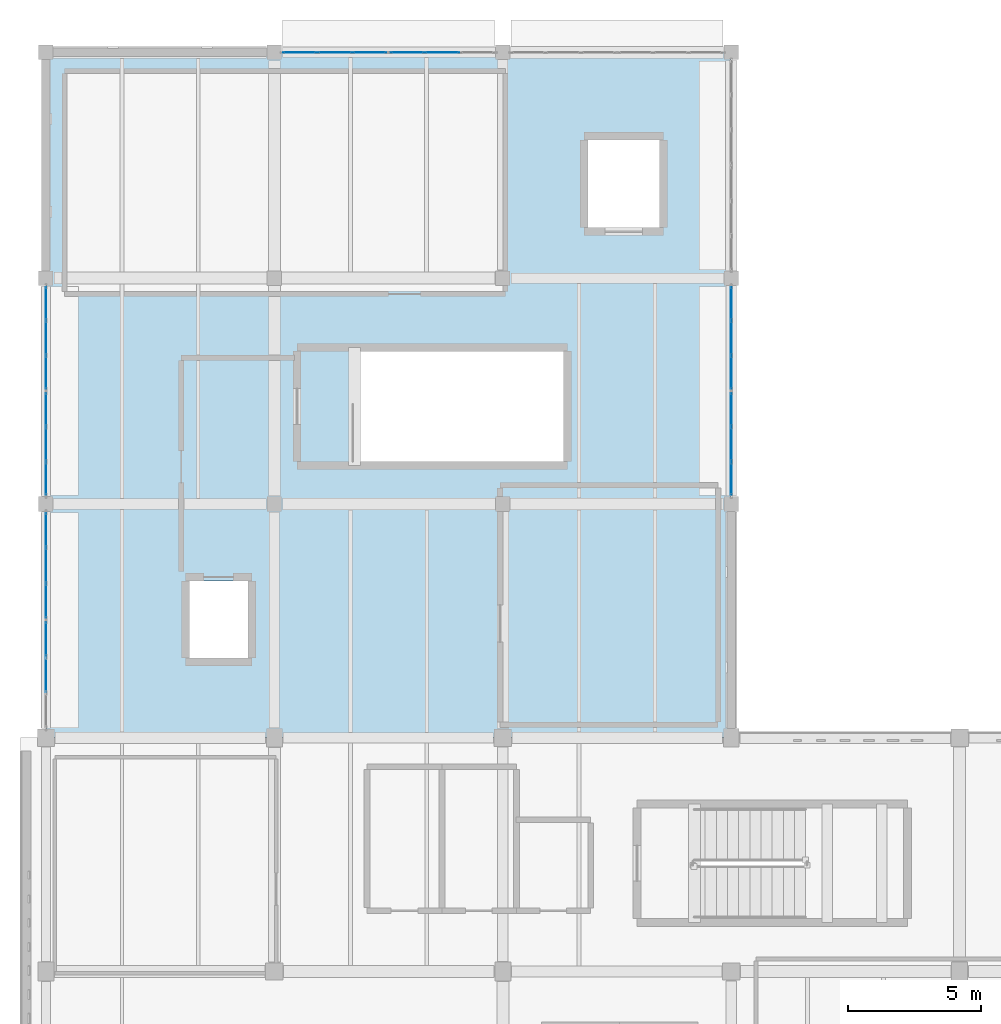
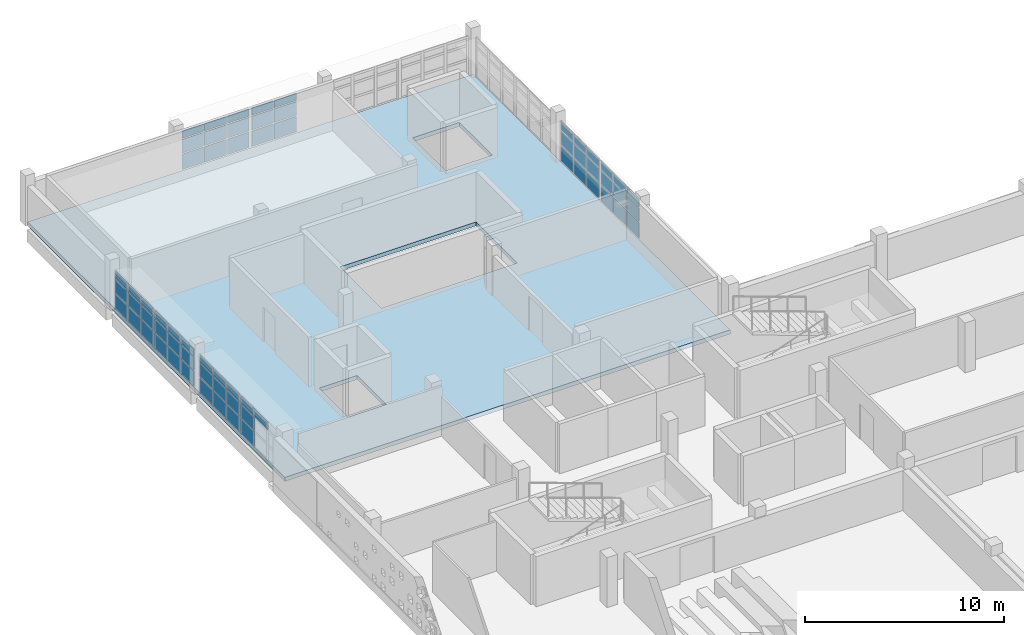
# One storey, part 19 of 34: 64 plates, 1 slab, 8 elements without a shape of their own.
"""IFC4 building model written with IfcOpenShell, lengths in metres."""

import ifcopenshell
import ifcopenshell.guid

model = None  # the IFC model being written
_history = None  # IfcOwnerHistory: only IFC2X3 demands one
_inside = {}  # id of a spatial element -> (the spatial element, [elements in it])
_under = {}  # id of a project, library or spatial element -> (it, [spatial elements below it])
_declared = {}  # id of a project -> (the project, [libraries it declares])
_typed = {}  # id of a type object -> (the type object, [elements of that type])
_made_of = {}  # id of a material, layer set ... -> (it, [elements and type objects made of it])


def new_model(schema):
    """Start an empty IFC model of exactly this schema.

    Asked for "IFC4X3", IfcOpenShell would pick the latest addendum, in which some entities
    have other attributes; the version numbers below select the first issue.
    IFC2X3 requires an IfcOwnerHistory on every rooted entity: one is made here for all.
    """
    global model, _history
    if schema == "IFC4X3":
        model = ifcopenshell.file(schema_version=(4, 3, 0, 0))
    else:
        model = ifcopenshell.file(schema=schema)
    _inside.clear()
    _under.clear()
    _declared.clear()
    _typed.clear()
    _made_of.clear()
    _history = None
    if model.schema == "IFC2X3":
        org = make("IfcOrganization", Name="unknown")
        user = make(
            "IfcPersonAndOrganization",
            ThePerson=make("IfcPerson", FamilyName="unknown"),
            TheOrganization=org,
        )
        app = make(
            "IfcApplication",
            ApplicationDeveloper=org,
            Version="unknown",
            ApplicationFullName="unknown",
            ApplicationIdentifier="unknown",
        )
        _history = make(
            "IfcOwnerHistory",
            OwningUser=user,
            OwningApplication=app,
            ChangeAction="ADDED",
            CreationDate=0,
        )
    return model


def make(cls, **values):
    """One entity of the class cls with the attributes given. An attribute that is None is left unset."""
    return model.create_entity(
        cls, **{name: value for name, value in values.items() if value is not None}
    )


def rooted(cls, **values):
    """An entity with a GlobalId (a new one), such as an element, a storey or a relation."""
    return make(cls, GlobalId=ifcopenshell.guid.new(), OwnerHistory=_history, **values)


def si_unit(unit_type, name, prefix=None):
    """IfcSIUnit, for example si_unit("LENGTHUNIT", "METRE", prefix="MILLI")."""
    return make("IfcSIUnit", UnitType=unit_type, Prefix=prefix, Name=name)


def assignment(units):
    """IfcUnitAssignment: the units of a project."""
    return None if units is None else make("IfcUnitAssignment", Units=units)


def point(xyz):
    """IfcCartesianPoint."""
    return None if xyz is None else make("IfcCartesianPoint", Coordinates=xyz)


def direction(xyz):
    """IfcDirection."""
    return None if xyz is None else make("IfcDirection", DirectionRatios=xyz)


def frame(location, z_axis=None, x_axis=None):
    """IfcAxis2Placement3D, a coordinate frame: its origin and axes. An axis left out is left unset."""
    return make(
        "IfcAxis2Placement3D",
        Location=point(location),
        Axis=direction(z_axis),
        RefDirection=direction(x_axis),
    )


def frame_2d(location, x_axis=None):
    """IfcAxis2Placement2D, a coordinate frame in the plane: its origin and x axis."""
    return make(
        "IfcAxis2Placement2D", Location=point(location), RefDirection=direction(x_axis)
    )


def origin():
    """The frame at (0, 0, 0) with its axes left unset."""
    return frame((0.0, 0.0, 0.0))


def origin_2d():
    """The frame at (0, 0) in the plane with its x axis left unset."""
    return frame_2d((0.0, 0.0))


def place(relative_to, where):
    """IfcLocalPlacement: puts the frame where relative to a parent placement (None: the world)."""
    return make(
        "IfcLocalPlacement", PlacementRelTo=relative_to, RelativePlacement=where
    )


def context(
    kind, dimensions, precision=None, world=None, true_north=None, identifier=None
):
    """IfcGeometricRepresentationContext, for example the 3D "Model" context."""
    return make(
        "IfcGeometricRepresentationContext",
        ContextIdentifier=identifier,
        ContextType=kind,
        CoordinateSpaceDimension=dimensions,
        Precision=precision,
        WorldCoordinateSystem=world,
        TrueNorth=true_north,
    )


def subcontext(parent, identifier, kind, view, scale=None):
    """IfcGeometricRepresentationSubContext, for example "Body" below "Model"."""
    return make(
        "IfcGeometricRepresentationSubContext",
        ContextIdentifier=identifier,
        ContextType=kind,
        ParentContext=parent,
        TargetScale=scale,
        TargetView=view,
    )


def project(units=None, contexts=None):
    """IfcProject with its units and contexts."""
    return rooted(
        "IfcProject",
        Name="project",
        RepresentationContexts=contexts,
        UnitsInContext=assignment(units),
    )


def spatial(cls, under=None, at=None, **own):
    """A site, building, storey or space (cls), placed at a placement, below another one or the project."""
    s = rooted(cls, ObjectPlacement=at, **own)
    if under is not None:
        _under.setdefault(under.id(), (under, []))[1].append(s)
    return s


def polyline(points):
    """IfcPolyline through the points."""
    return make("IfcPolyline", Points=[point(p) for p in points])


def profile(cls, at=None, kind="AREA", **sizes):
    """A parametric profile (cls). Its sizes go by their IFC names, for example OverallWidth=200.0."""
    return make(cls, ProfileType=kind, Position=at, **sizes)


def rectangle(**sizes):
    """IfcRectangleProfileDef."""
    return profile("IfcRectangleProfileDef", **sizes)


def outline(outer, holes=None, kind="AREA"):
    """IfcArbitraryClosedProfileDef: a profile drawn as a closed curve; with holes, ...WithVoids."""
    if holes is None:
        return make("IfcArbitraryClosedProfileDef", ProfileType=kind, OuterCurve=outer)
    return make(
        "IfcArbitraryProfileDefWithVoids",
        ProfileType=kind,
        OuterCurve=outer,
        InnerCurves=holes,
    )


def extrude(swept, where, along, depth):
    """IfcExtrudedAreaSolid: the profile swept, set in the frame where, extruded along a direction by depth."""
    return make(
        "IfcExtrudedAreaSolid",
        SweptArea=swept,
        Position=where,
        ExtrudedDirection=direction(along),
        Depth=depth,
    )


def shape(context_of_items, identifier, shape_type, items):
    """IfcShapeRepresentation: the items that make up one representation, for example the "Body"."""
    return make(
        "IfcShapeRepresentation",
        ContextOfItems=context_of_items,
        RepresentationIdentifier=identifier,
        RepresentationType=shape_type,
        Items=items,
    )


def material(Name=None, Category=None):
    """IfcMaterial."""
    return make("IfcMaterial", Name=Name, Category=Category)


def layer(
    of_material, thickness, ventilated=None, Name=None, Category=None, Priority=None
):
    """IfcMaterialLayer: one layer of a wall or slab, of a material (None: an air gap)."""
    return make(
        "IfcMaterialLayer",
        Material=of_material,
        LayerThickness=thickness,
        IsVentilated=ventilated,
        Name=Name,
        Category=Category,
        Priority=Priority,
    )


def layer_set(layers, Name=None):
    """IfcMaterialLayerSet."""
    return make("IfcMaterialLayerSet", MaterialLayers=layers, LayerSetName=Name)


def made_of(thing, what):
    """Note that an element or type object is made of a material, layer set ...; save() writes the relation."""
    if what is not None:
        _made_of.setdefault(what.id(), (what, []))[1].append(thing)
    return thing


def type_object(cls, material=None, **own):
    """A type object (cls), such as IfcWallType, which elements share."""
    return made_of(rooted(cls, **own), material)


def element(
    cls,
    number,
    at=None,
    inside=None,
    cuts=None,
    type_object=None,
    material=None,
    context=None,
    identifier="Body",
    shape_type=None,
    held_by="IfcProductDefinitionShape",
    body=None,
    shapes=None,
    **own,
):
    """One element of the class cls, such as IfcWall. Its Tag is "e" and its number.

    at: its placement. inside: the storey or other place that contains it. cuts: it is an
    opening in that element (IfcRelVoidsElement). A single representation is given by context,
    identifier, shape_type and body (its items); several are given by shapes. held_by: the class
    of the entity that holds the representations. save() writes the other relations.
    """
    e = rooted(cls, Tag="e%d" % number, ObjectPlacement=at, **own)
    if body is not None:
        shapes = [shape(context, identifier, shape_type, body)]
    if shapes is not None:
        e.Representation = make(held_by, Representations=shapes)
    if inside is not None:
        _inside.setdefault(inside.id(), (inside, []))[1].append(e)
    if cuts is not None:
        rooted(
            "IfcRelVoidsElement", RelatingBuildingElement=cuts, RelatedOpeningElement=e
        )
    if type_object is not None:
        _typed.setdefault(type_object.id(), (type_object, []))[1].append(e)
    return made_of(e, material)


def aggregate(whole, parts):
    """IfcRelAggregates: a whole, such as a stair, and the parts it consists of."""
    return rooted("IfcRelAggregates", RelatingObject=whole, RelatedObjects=parts)


def save(model, path):
    """Write the relations noted so far, then the file.

    IfcRelAggregates (storeys below a building ...), IfcRelContainedInSpatialStructure (elements
    in a storey), IfcRelDefinesByType, IfcRelAssociatesMaterial and IfcRelDeclares: one each for
    every whole, place, type object, material and project.
    """
    for whole, parts in _under.values():
        aggregate(whole, parts)
    for where, things in _inside.values():
        rooted(
            "IfcRelContainedInSpatialStructure",
            RelatedElements=things,
            RelatingStructure=where,
        )
    for kind, things in _typed.values():
        rooted("IfcRelDefinesByType", RelatedObjects=things, RelatingType=kind)
    for what, things in _made_of.values():
        rooted("IfcRelAssociatesMaterial", RelatedObjects=things, RelatingMaterial=what)
    for by, libraries in _declared.values():
        rooted("IfcRelDeclares", RelatingContext=by, RelatedDefinitions=libraries)
    model.write(path)


model = new_model("IFC4")

# Units and contexts
model_context = context("Model", 3, precision=1e-05, world=origin(), true_north=direction((0.0, 1.0)))
body_context = subcontext(model_context, "Body", "Model", "MODEL_VIEW")
ifc_project = project(units=[si_unit("LENGTHUNIT", "METRE"), si_unit("AREAUNIT", "SQUARE_METRE"), si_unit("VOLUMEUNIT", "CUBIC_METRE"), si_unit("PLANEANGLEUNIT", "RADIAN"), si_unit("MASSUNIT", "GRAM", prefix="KILO")], contexts=[model_context])

# Site, building, storey
site_placement = place(None, origin())
site = spatial("IfcSite", under=ifc_project, at=site_placement, CompositionType="ELEMENT")
building_placement = place(site_placement, origin())
building = spatial("IfcBuilding", under=site, at=building_placement, Name="Varnakota Cinema and Media Centre", CompositionType="ELEMENT")
storey_placement = place(building_placement, frame((0.0, 0.0, 19.050048828125)))
storey = spatial("IfcBuildingStorey", under=building, at=storey_placement, Name="L05", CompositionType="ELEMENT", Elevation=19.050048828125)

# Curtain wall, plates
ifc_material_1 = material(Name="Thermally broken anodised aluminium AW-6063", Category="aluminium")
curtain_wall_type_1 = type_object("IfcCurtainWallType", Name="CW-STD-396x250", PredefinedType="USERDEFINED", material=ifc_material_1)
curtain_wall_1_placement = place(storey_placement, origin())
curtain_wall_1 = element("IfcCurtainWall", 1, at=curtain_wall_1_placement, inside=storey, type_object=curtain_wall_type_1, Name="L05 curtain wall CW-L05-V5-E-02-1", ObjectType="UNITISED CURTAIN WALL", PredefinedType="USERDEFINED")
ifc_material_2 = material(Name="Laminated solar-control double glazing", Category="glass")
ifc_layer_1 = layer(ifc_material_2, 0.028076171875)
ifc_layer_set_1 = layer_set([ifc_layer_1], Name="Laminated solar-control double glazing")
plate_type = type_object("IfcPlateType", Name="CWP-DGU-28", PredefinedType="CURTAIN_PANEL", material=ifc_layer_set_1)
plate_1_placement = place(storey_placement, frame((25.800048828125, 44.950439453125, 0.06494140625), z_axis=(0.0, 0.0, 1.0), x_axis=(0.0, 1.0, 0.0)))
plate_1 = element("IfcPlate", 2, at=plate_1_placement, type_object=plate_type, Name="CW52 panel 1.1", PredefinedType="CURTAIN_PANEL", context=body_context, shape_type="SweptSolid", body=[
    extrude(rectangle(XDim=1.220947265625, YDim=0.028076171875, at=origin_2d()), origin(), (0.0, 0.0, 1.0), 0.950439453125),
])
plate_2_placement = place(storey_placement, frame((25.800048828125, 44.950439453125, 1.08056640625), z_axis=(0.0, 0.0, 1.0), x_axis=(0.0, 1.0, 0.0)))
plate_2 = element("IfcPlate", 3, at=plate_2_placement, type_object=plate_type, Name="CW52 panel 1.2", PredefinedType="CURTAIN_PANEL", context=body_context, shape_type="SweptSolid", body=[
    extrude(rectangle(XDim=1.220947265625, YDim=0.028076171875, at=origin_2d()), origin(), (0.0, 0.0, 1.0), 0.833251953125),
])
plate_3_placement = place(storey_placement, frame((25.800048828125, 44.950439453125, 1.978515625), z_axis=(0.0, 0.0, 1.0), x_axis=(0.0, 1.0, 0.0)))
plate_3 = element("IfcPlate", 4, at=plate_3_placement, type_object=plate_type, Name="CW52 panel 1.3", PredefinedType="CURTAIN_PANEL", context=body_context, shape_type="SweptSolid", body=[
    extrude(rectangle(XDim=1.220947265625, YDim=0.028076171875, at=origin_2d()), origin(), (0.0, 0.0, 1.0), 0.451416015625),
])
plate_4_placement = place(storey_placement, frame((25.800048828125, 46.25244140625, 0.06494140625), z_axis=(0.0, 0.0, 1.0), x_axis=(0.0, 1.0, 0.0)))
plate_4 = element("IfcPlate", 5, at=plate_4_placement, type_object=plate_type, Name="CW52 panel 2.1", PredefinedType="CURTAIN_PANEL", context=body_context, shape_type="SweptSolid", body=[
    extrude(rectangle(XDim=1.25341796875, YDim=0.028076171875, at=origin_2d()), origin(), (0.0, 0.0, 1.0), 0.950439453125),
])
plate_5_placement = place(storey_placement, frame((25.800048828125, 46.25244140625, 1.08056640625), z_axis=(0.0, 0.0, 1.0), x_axis=(0.0, 1.0, 0.0)))
plate_5 = element("IfcPlate", 6, at=plate_5_placement, type_object=plate_type, Name="CW52 panel 2.2", PredefinedType="CURTAIN_PANEL", context=body_context, shape_type="SweptSolid", body=[
    extrude(rectangle(XDim=1.25341796875, YDim=0.028076171875, at=origin_2d()), origin(), (0.0, 0.0, 1.0), 0.833251953125),
])
plate_6_placement = place(storey_placement, frame((25.800048828125, 46.25244140625, 1.978515625), z_axis=(0.0, 0.0, 1.0), x_axis=(0.0, 1.0, 0.0)))
plate_6 = element("IfcPlate", 7, at=plate_6_placement, type_object=plate_type, Name="CW52 panel 2.3", PredefinedType="CURTAIN_PANEL", context=body_context, shape_type="SweptSolid", body=[
    extrude(rectangle(XDim=1.25341796875, YDim=0.028076171875, at=origin_2d()), origin(), (0.0, 0.0, 1.0), 0.451416015625),
])
plate_7_placement = place(storey_placement, frame((25.800048828125, 47.5546875, 0.06494140625), z_axis=(0.0, 0.0, 1.0), x_axis=(0.0, 1.0, 0.0)))
plate_7 = element("IfcPlate", 8, at=plate_7_placement, type_object=plate_type, Name="CW52 panel 3.1", PredefinedType="CURTAIN_PANEL", context=body_context, shape_type="SweptSolid", body=[
    extrude(rectangle(XDim=1.220947265625, YDim=0.028076171875, at=origin_2d()), origin(), (0.0, 0.0, 1.0), 0.950439453125),
])
plate_8_placement = place(storey_placement, frame((25.800048828125, 47.5546875, 1.08056640625), z_axis=(0.0, 0.0, 1.0), x_axis=(0.0, 1.0, 0.0)))
plate_8 = element("IfcPlate", 9, at=plate_8_placement, type_object=plate_type, Name="CW52 panel 3.2", PredefinedType="CURTAIN_PANEL", context=body_context, shape_type="SweptSolid", body=[
    extrude(rectangle(XDim=1.220947265625, YDim=0.028076171875, at=origin_2d()), origin(), (0.0, 0.0, 1.0), 0.833251953125),
])
plate_9_placement = place(storey_placement, frame((25.800048828125, 47.5546875, 1.978515625), z_axis=(0.0, 0.0, 1.0), x_axis=(0.0, 1.0, 0.0)))
plate_9 = element("IfcPlate", 10, at=plate_9_placement, type_object=plate_type, Name="CW52 panel 3.3", PredefinedType="CURTAIN_PANEL", context=body_context, shape_type="SweptSolid", body=[
    extrude(rectangle(XDim=1.220947265625, YDim=0.028076171875, at=origin_2d()), origin(), (0.0, 0.0, 1.0), 0.451416015625),
])
aggregate(curtain_wall_1, [plate_1, plate_2, plate_3, plate_4, plate_5, plate_6, plate_7, plate_8, plate_9])

curtain_wall_2_placement = place(storey_placement, origin())
curtain_wall_2 = element("IfcCurtainWall", 11, at=curtain_wall_2_placement, inside=storey, type_object=curtain_wall_type_1, Name="L05 curtain wall CW-L05-V5-E-02-2", ObjectType="UNITISED CURTAIN WALL", PredefinedType="USERDEFINED")
plate_10_placement = place(storey_placement, frame((25.800048828125, 48.9453125, 0.06494140625), z_axis=(0.0, 0.0, 1.0), x_axis=(0.0, 1.0, 0.0)))
plate_10 = element("IfcPlate", 12, at=plate_10_placement, type_object=plate_type, Name="CW52 panel 1.1", PredefinedType="CURTAIN_PANEL", context=body_context, shape_type="SweptSolid", body=[
    extrude(rectangle(XDim=1.220947265625, YDim=0.028076171875, at=origin_2d()), origin(), (0.0, 0.0, 1.0), 0.950439453125),
])
plate_11_placement = place(storey_placement, frame((25.800048828125, 48.9453125, 1.08056640625), z_axis=(0.0, 0.0, 1.0), x_axis=(0.0, 1.0, 0.0)))
plate_11 = element("IfcPlate", 13, at=plate_11_placement, type_object=plate_type, Name="CW52 panel 1.2", PredefinedType="CURTAIN_PANEL", context=body_context, shape_type="SweptSolid", body=[
    extrude(rectangle(XDim=1.220947265625, YDim=0.028076171875, at=origin_2d()), origin(), (0.0, 0.0, 1.0), 0.833251953125),
])
plate_12_placement = place(storey_placement, frame((25.800048828125, 48.9453125, 1.978515625), z_axis=(0.0, 0.0, 1.0), x_axis=(0.0, 1.0, 0.0)))
plate_12 = element("IfcPlate", 14, at=plate_12_placement, type_object=plate_type, Name="CW52 panel 1.3", PredefinedType="CURTAIN_PANEL", context=body_context, shape_type="SweptSolid", body=[
    extrude(rectangle(XDim=1.220947265625, YDim=0.028076171875, at=origin_2d()), origin(), (0.0, 0.0, 1.0), 0.451416015625),
])
plate_13_placement = place(storey_placement, frame((25.800048828125, 50.24755859375, 0.06494140625), z_axis=(0.0, 0.0, 1.0), x_axis=(0.0, 1.0, 0.0)))
plate_13 = element("IfcPlate", 15, at=plate_13_placement, type_object=plate_type, Name="CW52 panel 2.1", PredefinedType="CURTAIN_PANEL", context=body_context, shape_type="SweptSolid", body=[
    extrude(rectangle(XDim=1.25341796875, YDim=0.028076171875, at=origin_2d()), origin(), (0.0, 0.0, 1.0), 0.950439453125),
])
plate_14_placement = place(storey_placement, frame((25.800048828125, 50.24755859375, 1.08056640625), z_axis=(0.0, 0.0, 1.0), x_axis=(0.0, 1.0, 0.0)))
plate_14 = element("IfcPlate", 16, at=plate_14_placement, type_object=plate_type, Name="CW52 panel 2.2", PredefinedType="CURTAIN_PANEL", context=body_context, shape_type="SweptSolid", body=[
    extrude(rectangle(XDim=1.25341796875, YDim=0.028076171875, at=origin_2d()), origin(), (0.0, 0.0, 1.0), 0.833251953125),
])
plate_15_placement = place(storey_placement, frame((25.800048828125, 50.24755859375, 1.978515625), z_axis=(0.0, 0.0, 1.0), x_axis=(0.0, 1.0, 0.0)))
plate_15 = element("IfcPlate", 17, at=plate_15_placement, type_object=plate_type, Name="CW52 panel 2.3", PredefinedType="CURTAIN_PANEL", context=body_context, shape_type="SweptSolid", body=[
    extrude(rectangle(XDim=1.25341796875, YDim=0.028076171875, at=origin_2d()), origin(), (0.0, 0.0, 1.0), 0.451416015625),
])
plate_16_placement = place(storey_placement, frame((25.800048828125, 51.549560546875, 0.06494140625), z_axis=(0.0, 0.0, 1.0), x_axis=(0.0, 1.0, 0.0)))
plate_16 = element("IfcPlate", 18, at=plate_16_placement, type_object=plate_type, Name="CW52 panel 3.1", PredefinedType="CURTAIN_PANEL", context=body_context, shape_type="SweptSolid", body=[
    extrude(rectangle(XDim=1.220947265625, YDim=0.028076171875, at=origin_2d()), origin(), (0.0, 0.0, 1.0), 0.950439453125),
])
plate_17_placement = place(storey_placement, frame((25.800048828125, 51.549560546875, 1.08056640625), z_axis=(0.0, 0.0, 1.0), x_axis=(0.0, 1.0, 0.0)))
plate_17 = element("IfcPlate", 19, at=plate_17_placement, type_object=plate_type, Name="CW52 panel 3.2", PredefinedType="CURTAIN_PANEL", context=body_context, shape_type="SweptSolid", body=[
    extrude(rectangle(XDim=1.220947265625, YDim=0.028076171875, at=origin_2d()), origin(), (0.0, 0.0, 1.0), 0.833251953125),
])
plate_18_placement = place(storey_placement, frame((25.800048828125, 51.549560546875, 1.978515625), z_axis=(0.0, 0.0, 1.0), x_axis=(0.0, 1.0, 0.0)))
plate_18 = element("IfcPlate", 20, at=plate_18_placement, type_object=plate_type, Name="CW52 panel 3.3", PredefinedType="CURTAIN_PANEL", context=body_context, shape_type="SweptSolid", body=[
    extrude(rectangle(XDim=1.220947265625, YDim=0.028076171875, at=origin_2d()), origin(), (0.0, 0.0, 1.0), 0.451416015625),
])
aggregate(curtain_wall_2, [plate_10, plate_11, plate_12, plate_13, plate_14, plate_15, plate_16, plate_17, plate_18])

ifc_material_3 = material(Name="Thermally broken anodised aluminium AW-6063", Category="aluminium")
curtain_wall_type_2 = type_object("IfcCurtainWallType", Name="CW-STD-401x250", PredefinedType="USERDEFINED", material=ifc_material_3)
curtain_wall_3_placement = place(storey_placement, origin())
curtain_wall_3 = element("IfcCurtainWall", 21, at=curtain_wall_3_placement, inside=storey, type_object=curtain_wall_type_2, Name="L05 curtain wall CW-L05-V5-N-02-1", ObjectType="UNITISED CURTAIN WALL", PredefinedType="USERDEFINED")
plate_19_placement = place(storey_placement, frame((9.558837890625, 61.0, 0.06494140625), z_axis=(0.0, 0.0, 1.0), x_axis=(1.0, 0.0, 0.0)))
plate_19 = element("IfcPlate", 22, at=plate_19_placement, type_object=plate_type, Name="CW54 panel 1.1", PredefinedType="CURTAIN_PANEL", context=body_context, shape_type="SweptSolid", body=[
    extrude(rectangle(XDim=1.237548828125, YDim=0.028076171875, at=origin_2d()), origin(), (0.0, 0.0, 1.0), 0.950439453125),
])
plate_20_placement = place(storey_placement, frame((9.558837890625, 61.0, 1.08056640625), z_axis=(0.0, 0.0, 1.0), x_axis=(1.0, 0.0, 0.0)))
plate_20 = element("IfcPlate", 23, at=plate_20_placement, type_object=plate_type, Name="CW54 panel 1.2", PredefinedType="CURTAIN_PANEL", context=body_context, shape_type="SweptSolid", body=[
    extrude(rectangle(XDim=1.237548828125, YDim=0.028076171875, at=origin_2d()), origin(), (0.0, 0.0, 1.0), 0.833251953125),
])
plate_21_placement = place(storey_placement, frame((9.558837890625, 61.0, 1.978515625), z_axis=(0.0, 0.0, 1.0), x_axis=(1.0, 0.0, 0.0)))
plate_21 = element("IfcPlate", 24, at=plate_21_placement, type_object=plate_type, Name="CW54 panel 1.3", PredefinedType="CURTAIN_PANEL", context=body_context, shape_type="SweptSolid", body=[
    extrude(rectangle(XDim=1.237548828125, YDim=0.028076171875, at=origin_2d()), origin(), (0.0, 0.0, 1.0), 0.451416015625),
])
plate_22_placement = place(storey_placement, frame((10.87744140625, 61.0, 0.06494140625), z_axis=(0.0, 0.0, 1.0), x_axis=(1.0, 0.0, 0.0)))
plate_22 = element("IfcPlate", 25, at=plate_22_placement, type_object=plate_type, Name="CW54 panel 2.1", PredefinedType="CURTAIN_PANEL", context=body_context, shape_type="SweptSolid", body=[
    extrude(rectangle(XDim=1.27001953125, YDim=0.028076171875, at=origin_2d()), origin(), (0.0, 0.0, 1.0), 0.950439453125),
])
plate_23_placement = place(storey_placement, frame((10.87744140625, 61.0, 1.08056640625), z_axis=(0.0, 0.0, 1.0), x_axis=(1.0, 0.0, 0.0)))
plate_23 = element("IfcPlate", 26, at=plate_23_placement, type_object=plate_type, Name="CW54 panel 2.2", PredefinedType="CURTAIN_PANEL", context=body_context, shape_type="SweptSolid", body=[
    extrude(rectangle(XDim=1.27001953125, YDim=0.028076171875, at=origin_2d()), origin(), (0.0, 0.0, 1.0), 0.833251953125),
])
plate_24_placement = place(storey_placement, frame((10.87744140625, 61.0, 1.978515625), z_axis=(0.0, 0.0, 1.0), x_axis=(1.0, 0.0, 0.0)))
plate_24 = element("IfcPlate", 27, at=plate_24_placement, type_object=plate_type, Name="CW54 panel 2.3", PredefinedType="CURTAIN_PANEL", context=body_context, shape_type="SweptSolid", body=[
    extrude(rectangle(XDim=1.27001953125, YDim=0.028076171875, at=origin_2d()), origin(), (0.0, 0.0, 1.0), 0.451416015625),
])
plate_25_placement = place(storey_placement, frame((12.1962890625, 61.0, 0.06494140625), z_axis=(0.0, 0.0, 1.0), x_axis=(1.0, 0.0, 0.0)))
plate_25 = element("IfcPlate", 28, at=plate_25_placement, type_object=plate_type, Name="CW54 panel 3.1", PredefinedType="CURTAIN_PANEL", context=body_context, shape_type="SweptSolid", body=[
    extrude(rectangle(XDim=1.237548828125, YDim=0.028076171875, at=origin_2d()), origin(), (0.0, 0.0, 1.0), 0.950439453125),
])
plate_26_placement = place(storey_placement, frame((12.1962890625, 61.0, 1.08056640625), z_axis=(0.0, 0.0, 1.0), x_axis=(1.0, 0.0, 0.0)))
plate_26 = element("IfcPlate", 29, at=plate_26_placement, type_object=plate_type, Name="CW54 panel 3.2", PredefinedType="CURTAIN_PANEL", context=body_context, shape_type="SweptSolid", body=[
    extrude(rectangle(XDim=1.237548828125, YDim=0.028076171875, at=origin_2d()), origin(), (0.0, 0.0, 1.0), 0.833251953125),
])
plate_27_placement = place(storey_placement, frame((12.1962890625, 61.0, 1.978515625), z_axis=(0.0, 0.0, 1.0), x_axis=(1.0, 0.0, 0.0)))
plate_27 = element("IfcPlate", 30, at=plate_27_placement, type_object=plate_type, Name="CW54 panel 3.3", PredefinedType="CURTAIN_PANEL", context=body_context, shape_type="SweptSolid", body=[
    extrude(rectangle(XDim=1.237548828125, YDim=0.028076171875, at=origin_2d()), origin(), (0.0, 0.0, 1.0), 0.451416015625),
])
aggregate(curtain_wall_3, [plate_19, plate_20, plate_21, plate_22, plate_23, plate_24, plate_25, plate_26, plate_27])

curtain_wall_4_placement = place(storey_placement, origin())
curtain_wall_4 = element("IfcCurtainWall", 31, at=curtain_wall_4_placement, inside=storey, type_object=curtain_wall_type_2, Name="L05 curtain wall CW-L05-V5-N-02-2", ObjectType="UNITISED CURTAIN WALL", PredefinedType="USERDEFINED")
plate_28_placement = place(storey_placement, frame((13.603759765625, 61.0, 0.06494140625), z_axis=(0.0, 0.0, 1.0), x_axis=(1.0, 0.0, 0.0)))
plate_28 = element("IfcPlate", 32, at=plate_28_placement, type_object=plate_type, Name="CW54 panel 1.1", PredefinedType="CURTAIN_PANEL", context=body_context, shape_type="SweptSolid", body=[
    extrude(rectangle(XDim=1.237548828125, YDim=0.028076171875, at=origin_2d()), origin(), (0.0, 0.0, 1.0), 0.950439453125),
])
plate_29_placement = place(storey_placement, frame((13.603759765625, 61.0, 1.08056640625), z_axis=(0.0, 0.0, 1.0), x_axis=(1.0, 0.0, 0.0)))
plate_29 = element("IfcPlate", 33, at=plate_29_placement, type_object=plate_type, Name="CW54 panel 1.2", PredefinedType="CURTAIN_PANEL", context=body_context, shape_type="SweptSolid", body=[
    extrude(rectangle(XDim=1.237548828125, YDim=0.028076171875, at=origin_2d()), origin(), (0.0, 0.0, 1.0), 0.833251953125),
])
plate_30_placement = place(storey_placement, frame((13.603759765625, 61.0, 1.978515625), z_axis=(0.0, 0.0, 1.0), x_axis=(1.0, 0.0, 0.0)))
plate_30 = element("IfcPlate", 34, at=plate_30_placement, type_object=plate_type, Name="CW54 panel 1.3", PredefinedType="CURTAIN_PANEL", context=body_context, shape_type="SweptSolid", body=[
    extrude(rectangle(XDim=1.237548828125, YDim=0.028076171875, at=origin_2d()), origin(), (0.0, 0.0, 1.0), 0.451416015625),
])
plate_31_placement = place(storey_placement, frame((14.922607421875, 61.0, 0.06494140625), z_axis=(0.0, 0.0, 1.0), x_axis=(1.0, 0.0, 0.0)))
plate_31 = element("IfcPlate", 35, at=plate_31_placement, type_object=plate_type, Name="CW54 panel 2.1", PredefinedType="CURTAIN_PANEL", context=body_context, shape_type="SweptSolid", body=[
    extrude(rectangle(XDim=1.27001953125, YDim=0.028076171875, at=origin_2d()), origin(), (0.0, 0.0, 1.0), 0.950439453125),
])
plate_32_placement = place(storey_placement, frame((14.922607421875, 61.0, 1.08056640625), z_axis=(0.0, 0.0, 1.0), x_axis=(1.0, 0.0, 0.0)))
plate_32 = element("IfcPlate", 36, at=plate_32_placement, type_object=plate_type, Name="CW54 panel 2.2", PredefinedType="CURTAIN_PANEL", context=body_context, shape_type="SweptSolid", body=[
    extrude(rectangle(XDim=1.27001953125, YDim=0.028076171875, at=origin_2d()), origin(), (0.0, 0.0, 1.0), 0.833251953125),
])
plate_33_placement = place(storey_placement, frame((14.922607421875, 61.0, 1.978515625), z_axis=(0.0, 0.0, 1.0), x_axis=(1.0, 0.0, 0.0)))
plate_33 = element("IfcPlate", 37, at=plate_33_placement, type_object=plate_type, Name="CW54 panel 2.3", PredefinedType="CURTAIN_PANEL", context=body_context, shape_type="SweptSolid", body=[
    extrude(rectangle(XDim=1.27001953125, YDim=0.028076171875, at=origin_2d()), origin(), (0.0, 0.0, 1.0), 0.451416015625),
])
aggregate(curtain_wall_4, [plate_28, plate_29, plate_30, plate_31, plate_32, plate_33])

ifc_material_4 = material(Name="Thermally broken anodised aluminium AW-6063", Category="aluminium")
curtain_wall_type_3 = type_object("IfcCurtainWallType", Name="CW-STD-396x240", PredefinedType="USERDEFINED", material=ifc_material_4)
curtain_wall_5_placement = place(storey_placement, origin())
curtain_wall_5 = element("IfcCurtainWall", 38, at=curtain_wall_5_placement, inside=storey, type_object=curtain_wall_type_3, Name="L05 curtain wall CW-L05-V5-W-02-1", ObjectType="UNITISED CURTAIN WALL", PredefinedType="USERDEFINED")
plate_34_placement = place(storey_placement, frame((0.0, 51.549560546875, 0.06494140625), z_axis=(0.0, 0.0, 1.0), x_axis=(0.0, -1.0, 0.0)))
plate_34 = element("IfcPlate", 39, at=plate_34_placement, type_object=plate_type, Name="CW56 panel 1.1", PredefinedType="CURTAIN_PANEL", context=body_context, shape_type="SweptSolid", body=[
    extrude(rectangle(XDim=1.220947265625, YDim=0.028076171875, at=origin_2d()), origin(), (0.0, 0.0, 1.0), 0.908447265625),
])
plate_35_placement = place(storey_placement, frame((0.0, 51.549560546875, 1.03857421875), z_axis=(0.0, 0.0, 1.0), x_axis=(0.0, -1.0, 0.0)))
plate_35 = element("IfcPlate", 40, at=plate_35_placement, type_object=plate_type, Name="CW56 panel 1.2", PredefinedType="CURTAIN_PANEL", context=body_context, shape_type="SweptSolid", body=[
    extrude(rectangle(XDim=1.220947265625, YDim=0.028076171875, at=origin_2d()), origin(), (0.0, 0.0, 1.0), 0.797119140625),
])
plate_36_placement = place(storey_placement, frame((0.0, 51.549560546875, 1.900390625), z_axis=(0.0, 0.0, 1.0), x_axis=(0.0, -1.0, 0.0)))
plate_36 = element("IfcPlate", 41, at=plate_36_placement, type_object=plate_type, Name="CW56 panel 1.3", PredefinedType="CURTAIN_PANEL", context=body_context, shape_type="SweptSolid", body=[
    extrude(rectangle(XDim=1.220947265625, YDim=0.028076171875, at=origin_2d()), origin(), (0.0, 0.0, 1.0), 0.429443359375),
])
plate_37_placement = place(storey_placement, frame((0.0, 50.24755859375, 0.06494140625), z_axis=(0.0, 0.0, 1.0), x_axis=(0.0, -1.0, 0.0)))
plate_37 = element("IfcPlate", 42, at=plate_37_placement, type_object=plate_type, Name="CW56 panel 2.1", PredefinedType="CURTAIN_PANEL", context=body_context, shape_type="SweptSolid", body=[
    extrude(rectangle(XDim=1.25341796875, YDim=0.028076171875, at=origin_2d()), origin(), (0.0, 0.0, 1.0), 0.908447265625),
])
plate_38_placement = place(storey_placement, frame((0.0, 50.24755859375, 1.03857421875), z_axis=(0.0, 0.0, 1.0), x_axis=(0.0, -1.0, 0.0)))
plate_38 = element("IfcPlate", 43, at=plate_38_placement, type_object=plate_type, Name="CW56 panel 2.2", PredefinedType="CURTAIN_PANEL", context=body_context, shape_type="SweptSolid", body=[
    extrude(rectangle(XDim=1.25341796875, YDim=0.028076171875, at=origin_2d()), origin(), (0.0, 0.0, 1.0), 0.797119140625),
])
plate_39_placement = place(storey_placement, frame((0.0, 50.24755859375, 1.900390625), z_axis=(0.0, 0.0, 1.0), x_axis=(0.0, -1.0, 0.0)))
plate_39 = element("IfcPlate", 44, at=plate_39_placement, type_object=plate_type, Name="CW56 panel 2.3", PredefinedType="CURTAIN_PANEL", context=body_context, shape_type="SweptSolid", body=[
    extrude(rectangle(XDim=1.25341796875, YDim=0.028076171875, at=origin_2d()), origin(), (0.0, 0.0, 1.0), 0.429443359375),
])
plate_40_placement = place(storey_placement, frame((0.0, 48.9453125, 0.06494140625), z_axis=(0.0, 0.0, 1.0), x_axis=(0.0, -1.0, 0.0)))
plate_40 = element("IfcPlate", 45, at=plate_40_placement, type_object=plate_type, Name="CW56 panel 3.1", PredefinedType="CURTAIN_PANEL", context=body_context, shape_type="SweptSolid", body=[
    extrude(rectangle(XDim=1.220947265625, YDim=0.028076171875, at=origin_2d()), origin(), (0.0, 0.0, 1.0), 0.908447265625),
])
plate_41_placement = place(storey_placement, frame((0.0, 48.9453125, 1.03857421875), z_axis=(0.0, 0.0, 1.0), x_axis=(0.0, -1.0, 0.0)))
plate_41 = element("IfcPlate", 46, at=plate_41_placement, type_object=plate_type, Name="CW56 panel 3.2", PredefinedType="CURTAIN_PANEL", context=body_context, shape_type="SweptSolid", body=[
    extrude(rectangle(XDim=1.220947265625, YDim=0.028076171875, at=origin_2d()), origin(), (0.0, 0.0, 1.0), 0.797119140625),
])
plate_42_placement = place(storey_placement, frame((0.0, 48.9453125, 1.900390625), z_axis=(0.0, 0.0, 1.0), x_axis=(0.0, -1.0, 0.0)))
plate_42 = element("IfcPlate", 47, at=plate_42_placement, type_object=plate_type, Name="CW56 panel 3.3", PredefinedType="CURTAIN_PANEL", context=body_context, shape_type="SweptSolid", body=[
    extrude(rectangle(XDim=1.220947265625, YDim=0.028076171875, at=origin_2d()), origin(), (0.0, 0.0, 1.0), 0.429443359375),
])
aggregate(curtain_wall_5, [plate_34, plate_35, plate_36, plate_37, plate_38, plate_39, plate_40, plate_41, plate_42])

curtain_wall_6_placement = place(storey_placement, origin())
curtain_wall_6 = element("IfcCurtainWall", 48, at=curtain_wall_6_placement, inside=storey, type_object=curtain_wall_type_3, Name="L05 curtain wall CW-L05-V5-W-02-2", ObjectType="UNITISED CURTAIN WALL", PredefinedType="USERDEFINED")
plate_43_placement = place(storey_placement, frame((0.0, 47.5546875, 0.06494140625), z_axis=(0.0, 0.0, 1.0), x_axis=(0.0, -1.0, 0.0)))
plate_43 = element("IfcPlate", 49, at=plate_43_placement, type_object=plate_type, Name="CW56 panel 1.1", PredefinedType="CURTAIN_PANEL", context=body_context, shape_type="SweptSolid", body=[
    extrude(rectangle(XDim=1.220947265625, YDim=0.028076171875, at=origin_2d()), origin(), (0.0, 0.0, 1.0), 0.908447265625),
])
plate_44_placement = place(storey_placement, frame((0.0, 47.5546875, 1.03857421875), z_axis=(0.0, 0.0, 1.0), x_axis=(0.0, -1.0, 0.0)))
plate_44 = element("IfcPlate", 50, at=plate_44_placement, type_object=plate_type, Name="CW56 panel 1.2", PredefinedType="CURTAIN_PANEL", context=body_context, shape_type="SweptSolid", body=[
    extrude(rectangle(XDim=1.220947265625, YDim=0.028076171875, at=origin_2d()), origin(), (0.0, 0.0, 1.0), 0.797119140625),
])
plate_45_placement = place(storey_placement, frame((0.0, 47.5546875, 1.900390625), z_axis=(0.0, 0.0, 1.0), x_axis=(0.0, -1.0, 0.0)))
plate_45 = element("IfcPlate", 51, at=plate_45_placement, type_object=plate_type, Name="CW56 panel 1.3", PredefinedType="CURTAIN_PANEL", context=body_context, shape_type="SweptSolid", body=[
    extrude(rectangle(XDim=1.220947265625, YDim=0.028076171875, at=origin_2d()), origin(), (0.0, 0.0, 1.0), 0.429443359375),
])
plate_46_placement = place(storey_placement, frame((0.0, 46.25244140625, 0.06494140625), z_axis=(0.0, 0.0, 1.0), x_axis=(0.0, -1.0, 0.0)))
plate_46 = element("IfcPlate", 52, at=plate_46_placement, type_object=plate_type, Name="CW56 panel 2.1", PredefinedType="CURTAIN_PANEL", context=body_context, shape_type="SweptSolid", body=[
    extrude(rectangle(XDim=1.25341796875, YDim=0.028076171875, at=origin_2d()), origin(), (0.0, 0.0, 1.0), 0.908447265625),
])
plate_47_placement = place(storey_placement, frame((0.0, 46.25244140625, 1.03857421875), z_axis=(0.0, 0.0, 1.0), x_axis=(0.0, -1.0, 0.0)))
plate_47 = element("IfcPlate", 53, at=plate_47_placement, type_object=plate_type, Name="CW56 panel 2.2", PredefinedType="CURTAIN_PANEL", context=body_context, shape_type="SweptSolid", body=[
    extrude(rectangle(XDim=1.25341796875, YDim=0.028076171875, at=origin_2d()), origin(), (0.0, 0.0, 1.0), 0.797119140625),
])
plate_48_placement = place(storey_placement, frame((0.0, 46.25244140625, 1.900390625), z_axis=(0.0, 0.0, 1.0), x_axis=(0.0, -1.0, 0.0)))
plate_48 = element("IfcPlate", 54, at=plate_48_placement, type_object=plate_type, Name="CW56 panel 2.3", PredefinedType="CURTAIN_PANEL", context=body_context, shape_type="SweptSolid", body=[
    extrude(rectangle(XDim=1.25341796875, YDim=0.028076171875, at=origin_2d()), origin(), (0.0, 0.0, 1.0), 0.429443359375),
])
plate_49_placement = place(storey_placement, frame((0.0, 44.950439453125, 0.06494140625), z_axis=(0.0, 0.0, 1.0), x_axis=(0.0, -1.0, 0.0)))
plate_49 = element("IfcPlate", 55, at=plate_49_placement, type_object=plate_type, Name="CW56 panel 3.1", PredefinedType="CURTAIN_PANEL", context=body_context, shape_type="SweptSolid", body=[
    extrude(rectangle(XDim=1.220947265625, YDim=0.028076171875, at=origin_2d()), origin(), (0.0, 0.0, 1.0), 0.908447265625),
])
plate_50_placement = place(storey_placement, frame((0.0, 44.950439453125, 1.03857421875), z_axis=(0.0, 0.0, 1.0), x_axis=(0.0, -1.0, 0.0)))
plate_50 = element("IfcPlate", 56, at=plate_50_placement, type_object=plate_type, Name="CW56 panel 3.2", PredefinedType="CURTAIN_PANEL", context=body_context, shape_type="SweptSolid", body=[
    extrude(rectangle(XDim=1.220947265625, YDim=0.028076171875, at=origin_2d()), origin(), (0.0, 0.0, 1.0), 0.797119140625),
])
plate_51_placement = place(storey_placement, frame((0.0, 44.950439453125, 1.900390625), z_axis=(0.0, 0.0, 1.0), x_axis=(0.0, -1.0, 0.0)))
plate_51 = element("IfcPlate", 57, at=plate_51_placement, type_object=plate_type, Name="CW56 panel 3.3", PredefinedType="CURTAIN_PANEL", context=body_context, shape_type="SweptSolid", body=[
    extrude(rectangle(XDim=1.220947265625, YDim=0.028076171875, at=origin_2d()), origin(), (0.0, 0.0, 1.0), 0.429443359375),
])
aggregate(curtain_wall_6, [plate_43, plate_44, plate_45, plate_46, plate_47, plate_48, plate_49, plate_50, plate_51])

ifc_material_5 = material(Name="Thermally broken anodised aluminium AW-6063", Category="aluminium")
curtain_wall_type_4 = type_object("IfcCurtainWallType", Name="CW-STD-408x240", PredefinedType="USERDEFINED", material=ifc_material_5)
curtain_wall_7_placement = place(storey_placement, origin())
curtain_wall_7 = element("IfcCurtainWall", 58, at=curtain_wall_7_placement, inside=storey, type_object=curtain_wall_type_4, Name="L05 curtain wall CW-L05-V5-W-03-1", ObjectType="UNITISED CURTAIN WALL", PredefinedType="USERDEFINED")
plate_52_placement = place(storey_placement, frame((0.0, 43.02880859375, 0.06494140625), z_axis=(0.0, 0.0, 1.0), x_axis=(0.0, -1.0, 0.0)))
plate_52 = element("IfcPlate", 59, at=plate_52_placement, type_object=plate_type, Name="CW57 panel 1.1", PredefinedType="CURTAIN_PANEL", context=body_context, shape_type="SweptSolid", body=[
    extrude(rectangle(XDim=1.262451171875, YDim=0.028076171875, at=origin_2d()), origin(), (0.0, 0.0, 1.0), 0.908447265625),
])
plate_53_placement = place(storey_placement, frame((0.0, 43.02880859375, 1.03857421875), z_axis=(0.0, 0.0, 1.0), x_axis=(0.0, -1.0, 0.0)))
plate_53 = element("IfcPlate", 60, at=plate_53_placement, type_object=plate_type, Name="CW57 panel 1.2", PredefinedType="CURTAIN_PANEL", context=body_context, shape_type="SweptSolid", body=[
    extrude(rectangle(XDim=1.262451171875, YDim=0.028076171875, at=origin_2d()), origin(), (0.0, 0.0, 1.0), 0.797119140625),
])
plate_54_placement = place(storey_placement, frame((0.0, 43.02880859375, 1.900390625), z_axis=(0.0, 0.0, 1.0), x_axis=(0.0, -1.0, 0.0)))
plate_54 = element("IfcPlate", 61, at=plate_54_placement, type_object=plate_type, Name="CW57 panel 1.3", PredefinedType="CURTAIN_PANEL", context=body_context, shape_type="SweptSolid", body=[
    extrude(rectangle(XDim=1.262451171875, YDim=0.028076171875, at=origin_2d()), origin(), (0.0, 0.0, 1.0), 0.429443359375),
])
plate_55_placement = place(storey_placement, frame((0.0, 41.68505859375, 0.06494140625), z_axis=(0.0, 0.0, 1.0), x_axis=(0.0, -1.0, 0.0)))
plate_55 = element("IfcPlate", 62, at=plate_55_placement, type_object=plate_type, Name="CW57 panel 2.1", PredefinedType="CURTAIN_PANEL", context=body_context, shape_type="SweptSolid", body=[
    extrude(rectangle(XDim=1.294921875, YDim=0.028076171875, at=origin_2d()), origin(), (0.0, 0.0, 1.0), 0.908447265625),
])
plate_56_placement = place(storey_placement, frame((0.0, 41.68505859375, 1.03857421875), z_axis=(0.0, 0.0, 1.0), x_axis=(0.0, -1.0, 0.0)))
plate_56 = element("IfcPlate", 63, at=plate_56_placement, type_object=plate_type, Name="CW57 panel 2.2", PredefinedType="CURTAIN_PANEL", context=body_context, shape_type="SweptSolid", body=[
    extrude(rectangle(XDim=1.294921875, YDim=0.028076171875, at=origin_2d()), origin(), (0.0, 0.0, 1.0), 0.797119140625),
])
plate_57_placement = place(storey_placement, frame((0.0, 41.68505859375, 1.900390625), z_axis=(0.0, 0.0, 1.0), x_axis=(0.0, -1.0, 0.0)))
plate_57 = element("IfcPlate", 64, at=plate_57_placement, type_object=plate_type, Name="CW57 panel 2.3", PredefinedType="CURTAIN_PANEL", context=body_context, shape_type="SweptSolid", body=[
    extrude(rectangle(XDim=1.294921875, YDim=0.028076171875, at=origin_2d()), origin(), (0.0, 0.0, 1.0), 0.429443359375),
])
plate_58_placement = place(storey_placement, frame((0.0, 40.34130859375, 0.06494140625), z_axis=(0.0, 0.0, 1.0), x_axis=(0.0, -1.0, 0.0)))
plate_58 = element("IfcPlate", 65, at=plate_58_placement, type_object=plate_type, Name="CW57 panel 3.1", PredefinedType="CURTAIN_PANEL", context=body_context, shape_type="SweptSolid", body=[
    extrude(rectangle(XDim=1.262451171875, YDim=0.028076171875, at=origin_2d()), origin(), (0.0, 0.0, 1.0), 0.908447265625),
])
plate_59_placement = place(storey_placement, frame((0.0, 40.34130859375, 1.03857421875), z_axis=(0.0, 0.0, 1.0), x_axis=(0.0, -1.0, 0.0)))
plate_59 = element("IfcPlate", 66, at=plate_59_placement, type_object=plate_type, Name="CW57 panel 3.2", PredefinedType="CURTAIN_PANEL", context=body_context, shape_type="SweptSolid", body=[
    extrude(rectangle(XDim=1.262451171875, YDim=0.028076171875, at=origin_2d()), origin(), (0.0, 0.0, 1.0), 0.797119140625),
])
plate_60_placement = place(storey_placement, frame((0.0, 40.34130859375, 1.900390625), z_axis=(0.0, 0.0, 1.0), x_axis=(0.0, -1.0, 0.0)))
plate_60 = element("IfcPlate", 67, at=plate_60_placement, type_object=plate_type, Name="CW57 panel 3.3", PredefinedType="CURTAIN_PANEL", context=body_context, shape_type="SweptSolid", body=[
    extrude(rectangle(XDim=1.262451171875, YDim=0.028076171875, at=origin_2d()), origin(), (0.0, 0.0, 1.0), 0.429443359375),
])
aggregate(curtain_wall_7, [plate_52, plate_53, plate_54, plate_55, plate_56, plate_57, plate_58, plate_59, plate_60])

curtain_wall_8_placement = place(storey_placement, origin())
curtain_wall_8 = element("IfcCurtainWall", 68, at=curtain_wall_8_placement, inside=storey, type_object=curtain_wall_type_4, Name="L05 curtain wall CW-L05-V5-W-03-2", ObjectType="UNITISED CURTAIN WALL", PredefinedType="USERDEFINED")
plate_61_placement = place(storey_placement, frame((0.0, 38.90869140625, 0.06494140625), z_axis=(0.0, 0.0, 1.0), x_axis=(0.0, -1.0, 0.0)))
plate_61 = element("IfcPlate", 69, at=plate_61_placement, type_object=plate_type, Name="CW57 panel 1.1", PredefinedType="CURTAIN_PANEL", context=body_context, shape_type="SweptSolid", body=[
    extrude(rectangle(XDim=1.262451171875, YDim=0.028076171875, at=origin_2d()), origin(), (0.0, 0.0, 1.0), 0.908447265625),
])
plate_62_placement = place(storey_placement, frame((0.0, 38.90869140625, 1.03857421875), z_axis=(0.0, 0.0, 1.0), x_axis=(0.0, -1.0, 0.0)))
plate_62 = element("IfcPlate", 70, at=plate_62_placement, type_object=plate_type, Name="CW57 panel 1.2", PredefinedType="CURTAIN_PANEL", context=body_context, shape_type="SweptSolid", body=[
    extrude(rectangle(XDim=1.262451171875, YDim=0.028076171875, at=origin_2d()), origin(), (0.0, 0.0, 1.0), 0.797119140625),
])
plate_63_placement = place(storey_placement, frame((0.0, 38.90869140625, 1.900390625), z_axis=(0.0, 0.0, 1.0), x_axis=(0.0, -1.0, 0.0)))
plate_63 = element("IfcPlate", 71, at=plate_63_placement, type_object=plate_type, Name="CW57 panel 1.3", PredefinedType="CURTAIN_PANEL", context=body_context, shape_type="SweptSolid", body=[
    extrude(rectangle(XDim=1.262451171875, YDim=0.028076171875, at=origin_2d()), origin(), (0.0, 0.0, 1.0), 0.429443359375),
])
plate_64_placement = place(storey_placement, frame((0.0, 37.56494140625, 1.900390625), z_axis=(0.0, 0.0, 1.0), x_axis=(0.0, -1.0, 0.0)))
plate_64 = element("IfcPlate", 72, at=plate_64_placement, type_object=plate_type, Name="CW57 panel 2.3", PredefinedType="CURTAIN_PANEL", context=body_context, shape_type="SweptSolid", body=[
    extrude(rectangle(XDim=1.294921875, YDim=0.028076171875, at=origin_2d()), origin(), (0.0, 0.0, 1.0), 0.429443359375),
])
aggregate(curtain_wall_8, [plate_61, plate_62, plate_63, plate_64])

# Slab
ifc_material_6 = material(Name="Concrete M35", Category="concrete")
ifc_layer_2 = layer(ifc_material_6, 0.25)
ifc_layer_set_2 = layer_set([ifc_layer_2], Name="Concrete M35")
slab_type = type_object("IfcSlabType", Name="SLB-FLR-250", PredefinedType="FLOOR", material=ifc_layer_set_2)
slab_placement = place(storey_placement, frame((0.0, 0.0, -0.25)))
element("IfcSlab", 73, at=slab_placement, inside=storey, type_object=slab_type, Name="L05 V5 floor slab", PredefinedType="FLOOR", context=body_context, shape_type="SweptSolid", body=[
    extrude(outline(polyline([(0.0, 35.199951171875), (25.800048828125, 35.199951171875), (25.800048828125, 61.0), (0.0, 61.0), (0.0, 35.199951171875)]), holes=[polyline([(11.60009765625, 45.60009765625), (19.47998046875, 45.60009765625), (19.47998046875, 49.75), (11.60009765625, 49.75), (11.60009765625, 45.60009765625)]), polyline([(5.39990234375, 38.199951171875), (7.60009765625, 38.199951171875), (7.60009765625, 41.10009765625), (5.39990234375, 41.10009765625), (5.39990234375, 38.199951171875)]), polyline([(20.39990234375, 54.39990234375), (23.10009765625, 54.39990234375), (23.10009765625, 57.699951171875), (20.39990234375, 57.699951171875), (20.39990234375, 54.39990234375)])]), origin(), (0.0, 0.0, 1.0), 0.25),
])

save(model, "model.ifc")
